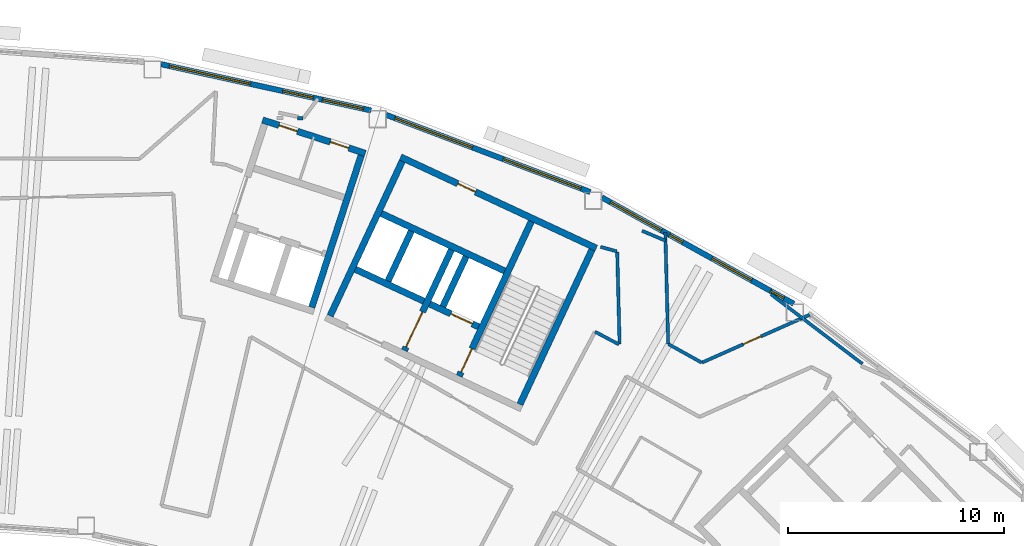
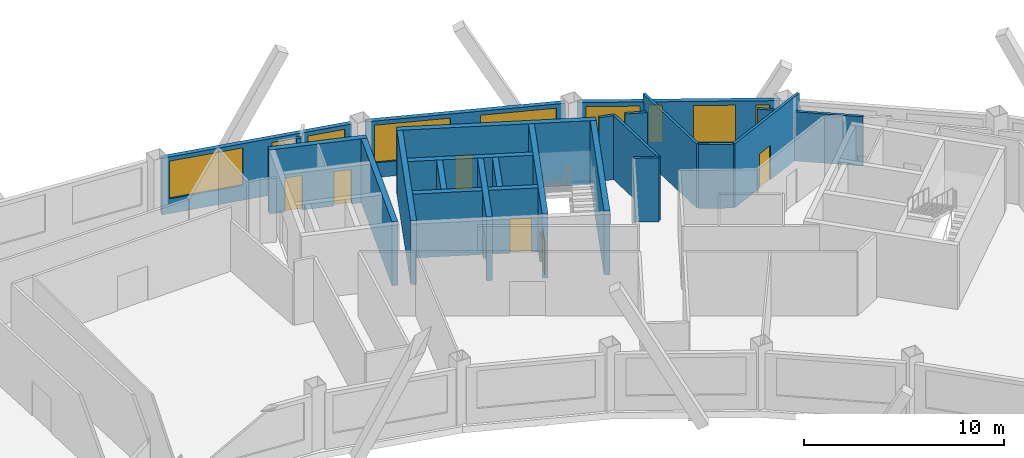
# One storey, part 10 of 13: 24 walls, 9 windows, 7 doors, 16 openings.
"""IFC4 building model written with IfcOpenShell, lengths in metres."""

from ifc_helpers import new_model, si_unit, direction, frame, frame_2d, origin, place, context, subcontext, project, spatial, rectangle, extrude, material, layer, layer_set, type_object, element, fill, save


model = new_model("IFC4")

# Units and contexts
model_context = context("Model", 3, precision=1e-05, world=origin(), true_north=direction((0.0, 1.0)))
body_context = subcontext(model_context, "Body", "Model", "MODEL_VIEW")
ifc_project = project(units=[si_unit("LENGTHUNIT", "METRE"), si_unit("AREAUNIT", "SQUARE_METRE"), si_unit("VOLUMEUNIT", "CUBIC_METRE"), si_unit("PLANEANGLEUNIT", "RADIAN"), si_unit("MASSUNIT", "GRAM", prefix="KILO")], contexts=[model_context])

# Site, building, storey
site_placement = place(None, origin())
site = spatial("IfcSite", under=ifc_project, at=site_placement, CompositionType="ELEMENT")
building_placement = place(site_placement, origin())
building = spatial("IfcBuilding", under=site, at=building_placement, Name="Tuul Gate Civic Tower", CompositionType="ELEMENT")
storey_placement = place(building_placement, frame((0.0, 0.0, 285.800048828125)))
storey = spatial("IfcBuildingStorey", under=building, at=storey_placement, Name="Level 64", CompositionType="ELEMENT", Elevation=285.800048828125)

# Wall, opening, door
ifc_material_1 = material(Name="Concrete C50/60", Category="concrete")
ifc_layer_1 = layer(ifc_material_1, 0.300048828125)
ifc_layer_set_1 = layer_set([ifc_layer_1], Name="Concrete C50/60")
wall_type_1 = type_object("IfcWallType", Name="Core wall C50/60", PredefinedType="SHEAR", material=ifc_layer_set_1)
wall_1_placement = place(storey_placement, frame((32.545654296875, -3.456787109375, 0.0), z_axis=(0.0, 0.0, 1.0), x_axis=(-0.906300357825, 0.42263419337, 0.0)))
wall_1 = element("IfcWall", 1, at=wall_1_placement, inside=storey, type_object=wall_type_1, Name="Core wall", PredefinedType="SHEAR", context=body_context, shape_type="SweptSolid", body=[
    extrude(rectangle(XDim=2.500244140625, YDim=0.300048828125, at=frame_2d((1.25, 0.0))), origin(), (0.0, 0.0, 1.0), 3.89990234375),
])
opening_1_placement = place(wall_1_placement, frame((0.324951171875, 0.0, 0.0)))
opening_1 = element("IfcOpeningElement", 2, at=opening_1_placement, cuts=wall_1, Name="Opening LD-FF-2", PredefinedType="OPENING", context=body_context, shape_type="SweptSolid", body=[
    extrude(rectangle(XDim=1.10009765625, YDim=2.10009765625, at=frame_2d((0.550048828125, 1.050048828125))), frame((0.0, 0.16015625, 0.0), z_axis=(0.0, -1.0, 0.0), x_axis=(1.0, 0.0, 0.0)), (0.0, 0.0, 1.0), 0.320068359375),
])
ifc_material_2 = material(Name="Stainless steel", Category="steel")
door_type_1 = type_object("IfcDoorType", Name="Landing door", OperationType="DOUBLE_DOOR_SLIDING", PredefinedType="DOOR", material=ifc_material_2)
door_1_placement = place(opening_1_placement, origin())
door_1 = element("IfcDoor", 3, at=door_1_placement, inside=storey, type_object=door_type_1, Name="Fire-fighting lift FF-2 landing door", OperationType="DOUBLE_DOOR_SLIDING", OverallHeight=2.10009765625, OverallWidth=1.10009765625, PredefinedType="DOOR", context=body_context, shape_type="SweptSolid", body=[
    extrude(rectangle(XDim=1.10009765625, YDim=2.10009765625, at=frame_2d((0.550048828125, 1.050048828125))), frame((0.0, 0.02490234375, 0.0), z_axis=(0.0, -1.0, 0.0), x_axis=(1.0, 0.0, 0.0)), (0.0, 0.0, 1.0), 0.050048828125),
])
fill(opening_1, door_1)

# Walls
wall_2_placement = place(storey_placement, frame((30.0078125, -2.2734375, 0.0), z_axis=(0.0, 0.0, 1.0), x_axis=(-0.90630071767, 0.422633421716, 0.0)))
element("IfcWall", 4, at=wall_2_placement, inside=storey, type_object=wall_type_1, Name="Core wall", PredefinedType="SHEAR", context=body_context, shape_type="SweptSolid", body=[
    extrude(rectangle(XDim=3.5, YDim=0.300048828125, at=frame_2d((1.75, 0.0))), origin(), (0.0, 0.0, 1.0), 3.89990234375),
])
wall_3_placement = place(storey_placement, frame((33.75, -0.873779296875, 0.0), z_axis=(0.0, 0.0, 1.0), x_axis=(-0.906300917592, 0.422632992999, 0.0)))
element("IfcWall", 5, at=wall_3_placement, inside=storey, type_object=wall_type_1, Name="Core wall", PredefinedType="SHEAR", context=body_context, shape_type="SweptSolid", body=[
    extrude(rectangle(XDim=6.300048828125, YDim=0.300048828125, at=frame_2d((3.14990234375, 0.0))), origin(), (0.0, 0.0, 1.0), 3.89990234375),
])

# Wall, opening, door
wall_4_placement = place(storey_placement, frame((37.993408203125, 0.181884765625, 0.0), z_axis=(0.0, 0.0, 1.0), x_axis=(-0.906310338845, 0.422612789327, 0.0)))
wall_4 = element("IfcWall", 6, at=wall_4_placement, inside=storey, type_object=wall_type_1, Name="Core wall", PredefinedType="SHEAR", context=body_context, shape_type="SweptSolid", body=[
    extrude(rectangle(XDim=9.999755859375, YDim=0.300048828125, at=frame_2d((5.0, 0.0))), origin(), (0.0, 0.0, 1.0), 3.89990234375),
])
opening_2_placement = place(wall_4_placement, frame((6.175048828125, 0.0, 0.0)))
opening_2 = element("IfcOpeningElement", 7, at=opening_2_placement, cuts=wall_4, Name="Opening X-D23", PredefinedType="OPENING", context=body_context, shape_type="SweptSolid", body=[
    extrude(rectangle(XDim=0.89990234375, YDim=2.10009765625, at=frame_2d((0.449951171875, 1.050048828125))), frame((0.0, 0.16015625, 0.0), z_axis=(0.0, -1.0, 0.0), x_axis=(1.0, 0.0, 0.0)), (0.0, 0.0, 1.0), 0.320068359375),
])
ifc_material_3 = material(Name="Timber door leaf", Category="wood")
door_type_2 = type_object("IfcDoorType", Name="Door D09", OperationType="NOTDEFINED", PredefinedType="DOOR", material=ifc_material_3)
door_2_placement = place(opening_2_placement, origin())
door_2 = element("IfcDoor", 8, at=door_2_placement, inside=storey, type_object=door_type_2, Name="Door X-D23", OperationType="SINGLE_SWING_LEFT", OverallHeight=2.10009765625, OverallWidth=0.89990234375, PredefinedType="DOOR", context=body_context, shape_type="SweptSolid", body=[
    extrude(rectangle(XDim=0.89990234375, YDim=2.10009765625, at=frame_2d((0.449951171875, 1.050048828125))), frame((0.0, 0.02490234375, 0.0), z_axis=(0.0, -1.0, 0.0), x_axis=(1.0, 0.0, 0.0)), (0.0, 0.0, 1.0), 0.050048828125),
])
fill(opening_2, door_2)

# Wall
wall_5_placement = place(storey_placement, frame((34.455810546875, -7.05078125, 0.0), z_axis=(0.0, 0.0, 1.0), x_axis=(0.422570768258, 0.906329932096, 0.0)))
element("IfcWall", 9, at=wall_5_placement, inside=storey, type_object=wall_type_1, Name="Core wall", PredefinedType="SHEAR", context=body_context, shape_type="SweptSolid", body=[
    extrude(rectangle(XDim=7.900146484375, YDim=0.300048828125, at=frame_2d((3.9501953125, 0.0))), origin(), (0.0, 0.0, 1.0), 3.89990234375),
])

# Wall, opening, door
wall_6_placement = place(storey_placement, frame((31.646240234375, -5.740478515625, 0.0), z_axis=(0.0, 0.0, 1.0), x_axis=(0.422582604137, 0.906324413596, 0.0)))
wall_6 = element("IfcWall", 10, at=wall_6_placement, inside=storey, type_object=wall_type_1, Name="Core wall", PredefinedType="SHEAR", context=body_context, shape_type="SweptSolid", body=[
    extrude(rectangle(XDim=7.89990234375, YDim=0.300048828125, at=frame_2d((3.949951171875, 0.0))), origin(), (0.0, 0.0, 1.0), 3.89990234375),
])
opening_3_placement = place(wall_6_placement, frame((0.199951171875, 0.0, 0.0)))
opening_3 = element("IfcOpeningElement", 11, at=opening_3_placement, cuts=wall_6, Name="Opening SD-ST-4", PredefinedType="OPENING", context=body_context, shape_type="SweptSolid", body=[
    extrude(rectangle(XDim=1.199951171875, YDim=2.10009765625, at=frame_2d((0.60009765625, 1.050048828125))), frame((0.0, 0.16015625, 0.0), z_axis=(0.0, -1.0, 0.0), x_axis=(1.0, 0.0, 0.0)), (0.0, 0.0, 1.0), 0.320068359375),
])
ifc_material_4 = material(Name="Steel", Category="steel")
door_type_3 = type_object("IfcDoorType", Name="Stair door", OperationType="NOTDEFINED", PredefinedType="DOOR", material=ifc_material_4)
door_3_placement = place(opening_3_placement, origin())
door_3 = element("IfcDoor", 12, at=door_3_placement, inside=storey, type_object=door_type_3, Name="Stair door ST-4", OperationType="SINGLE_SWING_LEFT", OverallHeight=2.10009765625, OverallWidth=1.199951171875, PredefinedType="DOOR", context=body_context, shape_type="SweptSolid", body=[
    extrude(rectangle(XDim=1.199951171875, YDim=2.10009765625, at=frame_2d((0.60009765625, 1.050048828125))), frame((0.0, 0.02490234375, 0.0), z_axis=(0.0, -1.0, 0.0), x_axis=(1.0, 0.0, 0.0)), (0.0, 0.0, 1.0), 0.050048828125),
])
fill(opening_3, door_3)

# Wall
wall_7_placement = place(storey_placement, frame((30.886962890625, -2.517822265625, 0.0), z_axis=(0.0, 0.0, 1.0), x_axis=(0.422612891016, 0.906310291427, 0.0)))
element("IfcWall", 13, at=wall_7_placement, inside=storey, type_object=wall_type_1, Name="Core wall", PredefinedType="SHEAR", context=body_context, shape_type="SweptSolid", body=[
    extrude(rectangle(XDim=2.550048828125, YDim=0.300048828125, at=frame_2d((1.27490234375, 0.0))), origin(), (0.0, 0.0, 1.0), 3.89990234375),
])

# Wall, opening, door
wall_8_placement = place(storey_placement, frame((29.108642578125, -4.557373046875, 0.0), z_axis=(0.0, 0.0, 1.0), x_axis=(0.422566235356, 0.90633204552, 0.0)))
wall_8 = element("IfcWall", 14, at=wall_8_placement, inside=storey, type_object=wall_type_1, Name="Core wall", PredefinedType="SHEAR", context=body_context, shape_type="SweptSolid", body=[
    extrude(rectangle(XDim=5.150146484375, YDim=0.300048828125, at=frame_2d((2.5751953125, 0.0))), origin(), (0.0, 0.0, 1.0), 3.89990234375),
])
opening_4_placement = place(wall_8_placement, frame((0.175048828125, 0.0, 0.0)))
opening_4 = element("IfcOpeningElement", 15, at=opening_4_placement, cuts=wall_8, Name="Opening LB-E3-FLOBBY-1", PredefinedType="OPENING", context=body_context, shape_type="SweptSolid", body=[
    extrude(rectangle(XDim=1.800048828125, YDim=2.10009765625, at=frame_2d((0.89990234375, 1.050048828125))), frame((0.0, 0.16015625, 0.0), z_axis=(0.0, -1.0, 0.0), x_axis=(1.0, 0.0, 0.0)), (0.0, 0.0, 1.0), 0.320068359375),
])
ifc_material_5 = material(Name="Steel", Category="steel")
door_type_4 = type_object("IfcDoorType", Name="Lobby door", OperationType="DOUBLE_DOOR_SINGLE_SWING", PredefinedType="DOOR", material=ifc_material_5)
door_4_placement = place(opening_4_placement, frame((1.800048828125, 0.0, 0.0), z_axis=(0.0, 0.0, 1.0), x_axis=(-1.0, 0.0, 0.0)))
door_4 = element("IfcDoor", 16, at=door_4_placement, inside=storey, type_object=door_type_4, Name="Lobby door E3-FLOBBY", OperationType="DOUBLE_DOOR_SINGLE_SWING", OverallHeight=2.10009765625, OverallWidth=1.800048828125, PredefinedType="DOOR", context=body_context, shape_type="SweptSolid", body=[
    extrude(rectangle(XDim=1.800048828125, YDim=2.10009765625, at=frame_2d((0.900146484375, 1.050048828125))), frame((0.0, 0.02490234375, 0.0), z_axis=(0.0, -1.0, 0.0), x_axis=(1.0, 0.0, 0.0)), (0.0, 0.0, 1.0), 0.050048828125),
])
fill(opening_4, door_4)

# Walls
wall_9_placement = place(storey_placement, frame((28.349365234375, -1.33447265625, 0.0), z_axis=(0.0, 0.0, 1.0), x_axis=(0.422612891016, 0.906310291427, 0.0)))
element("IfcWall", 17, at=wall_9_placement, inside=storey, type_object=wall_type_1, Name="Core wall", PredefinedType="SHEAR", context=body_context, shape_type="SweptSolid", body=[
    extrude(rectangle(XDim=2.550048828125, YDim=0.300048828125, at=frame_2d((1.27490234375, 0.0))), origin(), (0.0, 0.0, 1.0), 3.89990234375),
])
wall_10_placement = place(storey_placement, frame((25.66455078125, -2.951416015625, 0.0), z_axis=(0.0, 0.0, 1.0), x_axis=(0.422582604137, 0.906324413596, 0.0)))
element("IfcWall", 18, at=wall_10_placement, inside=storey, type_object=wall_type_1, Name="Core wall", PredefinedType="SHEAR", context=body_context, shape_type="SweptSolid", body=[
    extrude(rectangle(XDim=7.89990234375, YDim=0.300048828125, at=frame_2d((3.949951171875, 0.0))), origin(), (0.0, 0.0, 1.0), 3.89990234375),
])

# Wall, opening, door
ifc_material_6 = material(Name="Gypsum board partition")
ifc_layer_2 = layer(ifc_material_6, 0.14990234375)
ifc_layer_set_2 = layer_set([ifc_layer_2], Name="Gypsum board partition")
wall_type_2 = type_object("IfcWallType", Name="Corridor wall P150", PredefinedType="PARTITIONING", material=ifc_layer_set_2)
wall_11_placement = place(storey_placement, frame((42.892822265625, -5.115478515625, 0.0), z_axis=(0.0, 0.0, 1.0), x_axis=(0.913876120941, 0.405993147201, 0.0)))
wall_11 = element("IfcWall", 19, at=wall_11_placement, inside=storey, type_object=wall_type_2, Name="p005", PredefinedType="PARTITIONING", context=body_context, shape_type="SweptSolid", body=[
    extrude(rectangle(XDim=5.4560546875, YDim=0.14990234375, at=frame_2d((2.72802734375, 0.0))), origin(), (0.0, 0.0, 1.0), 3.89990234375),
])
opening_5_placement = place(wall_11_placement, frame((2.08935546875, 0.0, 0.0)))
opening_5 = element("IfcOpeningElement", 20, at=opening_5_placement, cuts=wall_11, Name="Opening X-D01", PredefinedType="OPENING", context=body_context, shape_type="SweptSolid", body=[
    extrude(rectangle(XDim=0.89990234375, YDim=2.10009765625, at=frame_2d((0.449951171875, 1.050048828125))), frame((0.0, 0.0849609375, 0.0), z_axis=(0.0, -1.0, 0.0), x_axis=(1.0, 0.0, 0.0)), (0.0, 0.0, 1.0), 0.169921875),
])
door_5_placement = place(opening_5_placement, origin())
door_5 = element("IfcDoor", 21, at=door_5_placement, inside=storey, type_object=door_type_2, Name="Door X-D01", OperationType="SINGLE_SWING_RIGHT", OverallHeight=2.10009765625, OverallWidth=0.89990234375, PredefinedType="DOOR", context=body_context, shape_type="SweptSolid", body=[
    extrude(rectangle(XDim=0.89990234375, YDim=2.10009765625, at=frame_2d((0.449951171875, 1.050048828125))), frame((0.0, 0.02490234375, 0.0), z_axis=(0.0, -1.0, 0.0), x_axis=(1.0, 0.0, 0.0)), (0.0, 0.0, 1.0), 0.050048828125),
])
fill(opening_5, door_5)

# Walls
wall_12_placement = place(storey_placement, frame((41.333984375, -4.260986328125, 0.0), z_axis=(0.0, 0.0, 1.0), x_axis=(0.874627690109, -0.484795218309, 0.0)))
element("IfcWall", 22, at=wall_12_placement, inside=storey, type_object=wall_type_2, Name="p006", PredefinedType="PARTITIONING", context=body_context, shape_type="SweptSolid", body=[
    extrude(rectangle(XDim=1.760986328125, YDim=0.14990234375, at=frame_2d((0.88037109375, 0.0))), origin(), (0.0, 0.0, 1.0), 3.89990234375),
])
wall_13_placement = place(storey_placement, frame((41.19189453125, 0.91162109375, 0.0), z_axis=(0.0, 0.0, 1.0), x_axis=(0.025471250231, -0.999675555074, 0.0)))
element("IfcWall", 23, at=wall_13_placement, inside=storey, type_object=wall_type_2, Name="p007", PredefinedType="PARTITIONING", context=body_context, shape_type="SweptSolid", body=[
    extrude(rectangle(XDim=5.15673828125, YDim=0.14990234375, at=frame_2d((2.578369140625, 0.0))), origin(), (0.0, 0.0, 1.0), 3.89990234375),
])
wall_14_placement = place(storey_placement, frame((38.189453125, 0.24560546875, 0.0), z_axis=(0.0, 0.0, 1.0), x_axis=(0.963509032023, -0.267675821115, 0.0)))
element("IfcWall", 24, at=wall_14_placement, inside=storey, type_object=wall_type_2, Name="p091", PredefinedType="PARTITIONING", context=body_context, shape_type="SweptSolid", body=[
    extrude(rectangle(XDim=0.7880859375, YDim=0.14990234375, at=frame_2d((0.39404296875, 0.0))), origin(), (0.0, 0.0, 1.0), 3.89990234375),
])
wall_15_placement = place(storey_placement, frame((38.9638671875, 0.01513671875, 0.0), z_axis=(0.0, 0.0, 1.0), x_axis=(0.025483262519, -0.999675248934, 0.0)))
element("IfcWall", 25, at=wall_15_placement, inside=storey, type_object=wall_type_2, Name="p092", PredefinedType="PARTITIONING", context=body_context, shape_type="SweptSolid", body=[
    extrude(rectangle(XDim=4.27294921875, YDim=0.14990234375, at=frame_2d((2.136474609375, 0.0))), origin(), (0.0, 0.0, 1.0), 3.89990234375),
])
wall_16_placement = place(storey_placement, frame((37.938232421875, -3.6875, 0.0), z_axis=(0.0, 0.0, 1.0), x_axis=(0.882946394022, -0.469473817463, 0.0)))
element("IfcWall", 26, at=wall_16_placement, inside=storey, type_object=wall_type_2, Name="p093", PredefinedType="PARTITIONING", context=body_context, shape_type="SweptSolid", body=[
    extrude(rectangle(XDim=1.251220703125, YDim=0.14990234375, at=frame_2d((0.62548828125, 0.0))), origin(), (0.0, 0.0, 1.0), 3.89990234375),
])
wall_17_placement = place(storey_placement, frame((24.15380859375, 6.20751953125, 0.0), z_axis=(0.0, 0.0, 1.0), x_axis=(0.999926340328, -0.012137294514, 0.0)))
element("IfcWall", 27, at=wall_17_placement, inside=storey, type_object=wall_type_2, Name="p019", PredefinedType="PARTITIONING", context=body_context, shape_type="SweptSolid", body=[
    extrude(rectangle(XDim=0.261474609375, YDim=0.14990234375, at=frame_2d((0.130859375, 0.0))), origin(), (0.0, 0.0, 1.0), 3.89990234375),
])
ifc_material_7 = material(Name="Gypsum board partition")
ifc_layer_3 = layer(ifc_material_7, 0.14990234375)
ifc_layer_set_3 = layer_set([ifc_layer_3], Name="Gypsum board partition")
wall_type_3 = type_object("IfcWallType", Name="Corridor wall P150 3000 HIGH", PredefinedType="PARTITIONING", material=ifc_layer_set_3)
wall_18_placement = place(storey_placement, frame((46.08447265625, -1.94873046875, 0.0), z_axis=(0.0, 0.0, 1.0), x_axis=(0.795606337097, -0.605813961849, 0.0)))
element("IfcWall", 28, at=wall_18_placement, inside=storey, type_object=wall_type_3, Name="p001", PredefinedType="PARTITIONING", context=body_context, shape_type="SweptSolid", body=[
    extrude(rectangle(XDim=5.326904296875, YDim=0.14990234375, at=frame_2d((2.66357421875, 0.0))), origin(), (0.0, 0.0, 1.0), 3.0),
])
wall_19_placement = place(storey_placement, frame((40.112548828125, 0.989013671875, 0.0), z_axis=(0.0, 0.0, 1.0), x_axis=(0.921195251322, -0.389100641148, 0.0)))
element("IfcWall", 29, at=wall_19_placement, inside=storey, type_object=wall_type_3, Name="p009", PredefinedType="PARTITIONING", context=body_context, shape_type="SweptSolid", body=[
    extrude(rectangle(XDim=1.181396484375, YDim=0.14990234375, at=frame_2d((0.5908203125, 0.0))), origin(), (0.0, 0.0, 1.0), 3.0),
])

# Wall, openings, windows
ifc_material_8 = material(Name="Precast concrete C40/50", Category="concrete")
ifc_layer_4 = layer(ifc_material_8, 0.25)
ifc_layer_set_4 = layer_set([ifc_layer_4], Name="Precast concrete C40/50")
wall_type_4 = type_object("IfcWallType", Name="External wall", PredefinedType="STANDARD", material=ifc_layer_set_4)
wall_20_placement = place(storey_placement, frame((47.139404296875, -2.39111328125, 0.0), z_axis=(0.0, 0.0, 1.0), x_axis=(-0.874604551877, 0.484836960055, 0.0)))
wall_20 = element("IfcWall", 30, at=wall_20_placement, inside=storey, type_object=wall_type_4, Name="External wall", PredefinedType="STANDARD", context=body_context, shape_type="SweptSolid", body=[
    extrude(rectangle(XDim=10.16162109375, YDim=0.25, at=frame_2d((5.080810546875, 0.0))), origin(), (0.0, 0.0, 1.0), 3.449951171875),
])
opening_6_placement = place(wall_20_placement, frame((0.52294921875, 0.0, 0.89990234375)))
opening_6 = element("IfcOpeningElement", 31, at=opening_6_placement, cuts=wall_20, Name="Opening W70", PredefinedType="OPENING", context=body_context, shape_type="SweptSolid", body=[
    extrude(rectangle(XDim=0.699951171875, YDim=2.300048828125, at=frame_2d((0.35009765625, 1.14990234375))), frame((0.0, 0.135009765625, 0.0), z_axis=(0.0, -1.0, 0.0), x_axis=(1.0, 0.0, 0.0)), (0.0, 0.0, 1.0), 0.27001953125),
])
opening_7_placement = place(wall_20_placement, frame((2.23388671875, 0.0, 0.89990234375)))
opening_7 = element("IfcOpeningElement", 32, at=opening_7_placement, cuts=wall_20, Name="Opening W40", PredefinedType="OPENING", context=body_context, shape_type="SweptSolid", body=[
    extrude(rectangle(XDim=2.10009765625, YDim=2.300048828125, at=frame_2d((1.050048828125, 1.14990234375))), frame((0.0, 0.135009765625, 0.0), z_axis=(0.0, -1.0, 0.0), x_axis=(1.0, 0.0, 0.0)), (0.0, 0.0, 1.0), 0.27001953125),
])
opening_8_placement = place(wall_20_placement, frame((5.8818359375, 0.0, 0.89990234375)))
opening_8 = element("IfcOpeningElement", 33, at=opening_8_placement, cuts=wall_20, Name="Opening W70", PredefinedType="OPENING", context=body_context, shape_type="SweptSolid", body=[
    extrude(rectangle(XDim=0.699951171875, YDim=2.300048828125, at=frame_2d((0.35009765625, 1.14990234375))), frame((0.0, 0.135009765625, 0.0), z_axis=(0.0, -1.0, 0.0), x_axis=(1.0, 0.0, 0.0)), (0.0, 0.0, 1.0), 0.27001953125),
])
opening_9_placement = place(wall_20_placement, frame((7.0068359375, 0.0, 0.89990234375)))
opening_9 = element("IfcOpeningElement", 34, at=opening_9_placement, cuts=wall_20, Name="Opening W69", PredefinedType="OPENING", context=body_context, shape_type="SweptSolid", body=[
    extrude(rectangle(XDim=2.699951171875, YDim=2.300048828125, at=frame_2d((1.35009765625, 1.14990234375))), frame((0.0, 0.135009765625, 0.0), z_axis=(0.0, -1.0, 0.0), x_axis=(1.0, 0.0, 0.0)), (0.0, 0.0, 1.0), 0.27001953125),
])
ifc_material_9 = material(Name="Glass", Category="glass")
window_type_1 = type_object("IfcWindowType", Name="Window 2100 x 2300", PartitioningType="SINGLE_PANEL", PredefinedType="WINDOW", material=ifc_material_9)
window_1_placement = place(opening_7_placement, origin())
window_1 = element("IfcWindow", 35, at=window_1_placement, inside=storey, type_object=window_type_1, Name="Window", OverallHeight=2.300048828125, OverallWidth=2.10009765625, PartitioningType="SINGLE_PANEL", PredefinedType="WINDOW", context=body_context, shape_type="SweptSolid", body=[
    extrude(rectangle(XDim=2.10009765625, YDim=2.300048828125, at=frame_2d((1.050048828125, 1.14990234375))), frame((0.0, 0.030029296875, 0.0), z_axis=(0.0, -1.0, 0.0), x_axis=(1.0, 0.0, 0.0)), (0.0, 0.0, 1.0), 0.06005859375),
])
fill(opening_7, window_1)
ifc_material_10 = material(Name="Glass", Category="glass")
window_type_2 = type_object("IfcWindowType", Name="Window 2700 x 2300", PartitioningType="SINGLE_PANEL", PredefinedType="WINDOW", material=ifc_material_10)
window_2_placement = place(opening_9_placement, origin())
window_2 = element("IfcWindow", 36, at=window_2_placement, inside=storey, type_object=window_type_2, Name="Window", OverallHeight=2.300048828125, OverallWidth=2.699951171875, PartitioningType="SINGLE_PANEL", PredefinedType="WINDOW", context=body_context, shape_type="SweptSolid", body=[
    extrude(rectangle(XDim=2.699951171875, YDim=2.300048828125, at=frame_2d((1.35009765625, 1.14990234375))), frame((0.0, 0.030029296875, 0.0), z_axis=(0.0, -1.0, 0.0), x_axis=(1.0, 0.0, 0.0)), (0.0, 0.0, 1.0), 0.06005859375),
])
fill(opening_9, window_2)
ifc_material_11 = material(Name="Glass", Category="glass")
window_type_3 = type_object("IfcWindowType", Name="Window 700 x 2300", PartitioningType="SINGLE_PANEL", PredefinedType="WINDOW", material=ifc_material_11)
window_3_placement = place(opening_6_placement, origin())
window_3 = element("IfcWindow", 37, at=window_3_placement, inside=storey, type_object=window_type_3, Name="Window", OverallHeight=2.300048828125, OverallWidth=0.699951171875, PartitioningType="SINGLE_PANEL", PredefinedType="WINDOW", context=body_context, shape_type="SweptSolid", body=[
    extrude(rectangle(XDim=0.699951171875, YDim=2.300048828125, at=frame_2d((0.35009765625, 1.14990234375))), frame((0.0, 0.030029296875, 0.0), z_axis=(0.0, -1.0, 0.0), x_axis=(1.0, 0.0, 0.0)), (0.0, 0.0, 1.0), 0.06005859375),
])
fill(opening_6, window_3)
window_4_placement = place(opening_8_placement, origin())
window_4 = element("IfcWindow", 38, at=window_4_placement, inside=storey, type_object=window_type_3, Name="Window", OverallHeight=2.300048828125, OverallWidth=0.699951171875, PartitioningType="SINGLE_PANEL", PredefinedType="WINDOW", context=body_context, shape_type="SweptSolid", body=[
    extrude(rectangle(XDim=0.699951171875, YDim=2.300048828125, at=frame_2d((0.35009765625, 1.14990234375))), frame((0.0, 0.030029296875, 0.0), z_axis=(0.0, -1.0, 0.0), x_axis=(1.0, 0.0, 0.0)), (0.0, 0.0, 1.0), 0.06005859375),
])
fill(opening_8, window_4)

wall_21_placement = place(storey_placement, frame((37.715087890625, 2.784912109375, 0.0), z_axis=(0.0, 0.0, 1.0), x_axis=(-0.935360382643, 0.353696133118, 0.0)))
wall_21 = element("IfcWall", 39, at=wall_21_placement, inside=storey, type_object=wall_type_4, Name="External wall", PredefinedType="STANDARD", context=body_context, shape_type="SweptSolid", body=[
    extrude(rectangle(XDim=10.103271484375, YDim=0.25, at=frame_2d((5.0517578125, 0.0))), origin(), (0.0, 0.0, 1.0), 3.449951171875),
])
opening_10_placement = place(wall_21_placement, frame((0.45849609375, 0.0, 0.89990234375)))
opening_10 = element("IfcOpeningElement", 40, at=opening_10_placement, cuts=wall_21, Name="Opening W22", PredefinedType="OPENING", context=body_context, shape_type="SweptSolid", body=[
    extrude(rectangle(XDim=3.85009765625, YDim=2.300048828125, at=frame_2d((1.925048828125, 1.14990234375))), frame((0.0, 0.135009765625, 0.0), z_axis=(0.0, -1.0, 0.0), x_axis=(1.0, 0.0, 0.0)), (0.0, 0.0, 1.0), 0.27001953125),
])
opening_11_placement = place(wall_21_placement, frame((5.830322265625, 0.0, 0.89990234375)))
opening_11 = element("IfcOpeningElement", 41, at=opening_11_placement, cuts=wall_21, Name="Opening W22", PredefinedType="OPENING", context=body_context, shape_type="SweptSolid", body=[
    extrude(rectangle(XDim=3.85009765625, YDim=2.300048828125, at=frame_2d((1.925048828125, 1.14990234375))), frame((0.0, 0.135009765625, 0.0), z_axis=(0.0, -1.0, 0.0), x_axis=(1.0, 0.0, 0.0)), (0.0, 0.0, 1.0), 0.27001953125),
])
ifc_material_12 = material(Name="Glass", Category="glass")
window_type_4 = type_object("IfcWindowType", Name="Window W22 3850 x 2300", PartitioningType="SINGLE_PANEL", PredefinedType="WINDOW", material=ifc_material_12)
window_5_placement = place(opening_10_placement, origin())
window_5 = element("IfcWindow", 42, at=window_5_placement, inside=storey, type_object=window_type_4, Name="Window", OverallHeight=2.300048828125, OverallWidth=3.85009765625, PartitioningType="SINGLE_PANEL", PredefinedType="WINDOW", context=body_context, shape_type="SweptSolid", body=[
    extrude(rectangle(XDim=3.85009765625, YDim=2.300048828125, at=frame_2d((1.925048828125, 1.14990234375))), frame((0.0, 0.030029296875, 0.0), z_axis=(0.0, -1.0, 0.0), x_axis=(1.0, 0.0, 0.0)), (0.0, 0.0, 1.0), 0.06005859375),
])
fill(opening_10, window_5)
window_6_placement = place(opening_11_placement, origin())
window_6 = element("IfcWindow", 43, at=window_6_placement, inside=storey, type_object=window_type_4, Name="Window", OverallHeight=2.300048828125, OverallWidth=3.85009765625, PartitioningType="SINGLE_PANEL", PredefinedType="WINDOW", context=body_context, shape_type="SweptSolid", body=[
    extrude(rectangle(XDim=3.85009765625, YDim=2.300048828125, at=frame_2d((1.925048828125, 1.14990234375))), frame((0.0, 0.030029296875, 0.0), z_axis=(0.0, -1.0, 0.0), x_axis=(1.0, 0.0, 0.0)), (0.0, 0.0, 1.0), 0.06005859375),
])
fill(opening_11, window_6)

wall_22_placement = place(storey_placement, frame((27.56201171875, 6.56201171875, 0.0), z_axis=(0.0, 0.0, 1.0), x_axis=(-0.976565167079, 0.215221919071, 0.0)))
wall_22 = element("IfcWall", 44, at=wall_22_placement, inside=storey, type_object=wall_type_4, Name="External wall", PredefinedType="STANDARD", context=body_context, shape_type="SweptSolid", body=[
    extrude(rectangle(XDim=9.95751953125, YDim=0.25, at=frame_2d((4.978759765625, 0.0))), origin(), (0.0, 0.0, 1.0), 3.449951171875),
])
opening_12_placement = place(wall_22_placement, frame((5.717529296875, 0.0, 0.89990234375)))
opening_12 = element("IfcOpeningElement", 45, at=opening_12_placement, cuts=wall_22, Name="Opening W22", PredefinedType="OPENING", context=body_context, shape_type="SweptSolid", body=[
    extrude(rectangle(XDim=3.85009765625, YDim=2.300048828125, at=frame_2d((1.925048828125, 1.14990234375))), frame((0.0, 0.135009765625, 0.0), z_axis=(0.0, -1.0, 0.0), x_axis=(1.0, 0.0, 0.0)), (0.0, 0.0, 1.0), 0.27001953125),
])
opening_13_placement = place(wall_22_placement, frame((0.35986328125, 0.0, 0.89990234375)))
opening_13 = element("IfcOpeningElement", 46, at=opening_13_placement, cuts=wall_22, Name="Opening W46", PredefinedType="OPENING", context=body_context, shape_type="SweptSolid", body=[
    extrude(rectangle(XDim=1.949951171875, YDim=2.300048828125, at=frame_2d((0.97509765625, 1.14990234375))), frame((0.0, 0.135009765625, 0.0), z_axis=(0.0, -1.0, 0.0), x_axis=(1.0, 0.0, 0.0)), (0.0, 0.0, 1.0), 0.27001953125),
])
opening_14_placement = place(wall_22_placement, frame((2.73486328125, 0.0, 0.89990234375)))
opening_14 = element("IfcOpeningElement", 47, at=opening_14_placement, cuts=wall_22, Name="Opening W47", PredefinedType="OPENING", context=body_context, shape_type="SweptSolid", body=[
    extrude(rectangle(XDim=1.449951171875, YDim=2.300048828125, at=frame_2d((0.72509765625, 1.14990234375))), frame((0.0, 0.135009765625, 0.0), z_axis=(0.0, -1.0, 0.0), x_axis=(1.0, 0.0, 0.0)), (0.0, 0.0, 1.0), 0.27001953125),
])
ifc_material_13 = material(Name="Glass", Category="glass")
window_type_5 = type_object("IfcWindowType", Name="Window 1450 x 2300", PartitioningType="SINGLE_PANEL", PredefinedType="WINDOW", material=ifc_material_13)
window_7_placement = place(opening_14_placement, origin())
window_7 = element("IfcWindow", 48, at=window_7_placement, inside=storey, type_object=window_type_5, Name="Window", OverallHeight=2.300048828125, OverallWidth=1.449951171875, PartitioningType="SINGLE_PANEL", PredefinedType="WINDOW", context=body_context, shape_type="SweptSolid", body=[
    extrude(rectangle(XDim=1.449951171875, YDim=2.300048828125, at=frame_2d((0.72509765625, 1.14990234375))), frame((0.0, 0.030029296875, 0.0), z_axis=(0.0, -1.0, 0.0), x_axis=(1.0, 0.0, 0.0)), (0.0, 0.0, 1.0), 0.06005859375),
])
fill(opening_14, window_7)
ifc_material_14 = material(Name="Glass", Category="glass")
window_type_6 = type_object("IfcWindowType", Name="Window 1950 x 2300", PartitioningType="SINGLE_PANEL", PredefinedType="WINDOW", material=ifc_material_14)
window_8_placement = place(opening_13_placement, origin())
window_8 = element("IfcWindow", 49, at=window_8_placement, inside=storey, type_object=window_type_6, Name="Window", OverallHeight=2.300048828125, OverallWidth=1.949951171875, PartitioningType="SINGLE_PANEL", PredefinedType="WINDOW", context=body_context, shape_type="SweptSolid", body=[
    extrude(rectangle(XDim=1.949951171875, YDim=2.300048828125, at=frame_2d((0.97509765625, 1.14990234375))), frame((0.0, 0.030029296875, 0.0), z_axis=(0.0, -1.0, 0.0), x_axis=(1.0, 0.0, 0.0)), (0.0, 0.0, 1.0), 0.06005859375),
])
fill(opening_13, window_8)
window_9_placement = place(opening_12_placement, origin())
window_9 = element("IfcWindow", 50, at=window_9_placement, inside=storey, type_object=window_type_4, Name="Window", OverallHeight=2.300048828125, OverallWidth=3.85009765625, PartitioningType="SINGLE_PANEL", PredefinedType="WINDOW", context=body_context, shape_type="SweptSolid", body=[
    extrude(rectangle(XDim=3.85009765625, YDim=2.300048828125, at=frame_2d((1.925048828125, 1.14990234375))), frame((0.0, 0.030029296875, 0.0), z_axis=(0.0, -1.0, 0.0), x_axis=(1.0, 0.0, 0.0)), (0.0, 0.0, 1.0), 0.06005859375),
])
fill(opening_12, window_9)

# Wall, openings, doors
ifc_material_15 = material(Name="Concrete C40/50", Category="concrete")
ifc_layer_5 = layer(ifc_material_15, 0.300048828125)
ifc_layer_set_5 = layer_set([ifc_layer_5], Name="Concrete C40/50")
wall_type_5 = type_object("IfcWallType", Name="Lift shaft wall C40/50", PredefinedType="STANDARD", material=ifc_layer_set_5)
wall_23_placement = place(storey_placement, frame((27.29150390625, 4.57666015625, 0.0), z_axis=(0.0, 0.0, 1.0), x_axis=(-0.951067792613, 0.308982287281, 0.0)))
wall_23 = element("IfcWall", 51, at=wall_23_placement, inside=storey, type_object=wall_type_5, Name="Shaft wall", PredefinedType="STANDARD", context=body_context, shape_type="SweptSolid", body=[
    extrude(rectangle(XDim=5.0, YDim=0.300048828125, at=frame_2d((2.5, 0.0))), origin(), (0.0, 0.0, 1.0), 3.89990234375),
])
opening_15_placement = place(wall_23_placement, frame((0.800048828125, 0.0, 0.0)))
opening_15 = element("IfcOpeningElement", 52, at=opening_15_placement, cuts=wall_23, Name="Opening X-D24", PredefinedType="OPENING", context=body_context, shape_type="SweptSolid", body=[
    extrude(rectangle(XDim=0.89990234375, YDim=2.10009765625, at=frame_2d((0.449951171875, 1.050048828125))), frame((0.0, 0.16015625, 0.0), z_axis=(0.0, -1.0, 0.0), x_axis=(1.0, 0.0, 0.0)), (0.0, 0.0, 1.0), 0.320068359375),
])
opening_16_placement = place(wall_23_placement, frame((3.300048828125, 0.0, 0.0)))
opening_16 = element("IfcOpeningElement", 53, at=opening_16_placement, cuts=wall_23, Name="Opening X-D25", PredefinedType="OPENING", context=body_context, shape_type="SweptSolid", body=[
    extrude(rectangle(XDim=0.89990234375, YDim=2.10009765625, at=frame_2d((0.449951171875, 1.050048828125))), frame((0.0, 0.16015625, 0.0), z_axis=(0.0, -1.0, 0.0), x_axis=(1.0, 0.0, 0.0)), (0.0, 0.0, 1.0), 0.320068359375),
])
door_6_placement = place(opening_15_placement, origin())
door_6 = element("IfcDoor", 54, at=door_6_placement, inside=storey, type_object=door_type_2, Name="Door X-D24", OperationType="SINGLE_SWING_LEFT", OverallHeight=2.10009765625, OverallWidth=0.89990234375, PredefinedType="DOOR", context=body_context, shape_type="SweptSolid", body=[
    extrude(rectangle(XDim=0.89990234375, YDim=2.10009765625, at=frame_2d((0.449951171875, 1.050048828125))), frame((0.0, 0.02490234375, 0.0), z_axis=(0.0, -1.0, 0.0), x_axis=(1.0, 0.0, 0.0)), (0.0, 0.0, 1.0), 0.050048828125),
])
fill(opening_15, door_6)
door_7_placement = place(opening_16_placement, origin())
door_7 = element("IfcDoor", 55, at=door_7_placement, inside=storey, type_object=door_type_2, Name="Door X-D25", OperationType="SINGLE_SWING_RIGHT", OverallHeight=2.10009765625, OverallWidth=0.89990234375, PredefinedType="DOOR", context=body_context, shape_type="SweptSolid", body=[
    extrude(rectangle(XDim=0.89990234375, YDim=2.10009765625, at=frame_2d((0.449951171875, 1.050048828125))), frame((0.0, 0.02490234375, 0.0), z_axis=(0.0, -1.0, 0.0), x_axis=(1.0, 0.0, 0.0)), (0.0, 0.0, 1.0), 0.050048828125),
])
fill(opening_16, door_7)

# Wall
wall_24_placement = place(storey_placement, frame((24.815185546875, -2.557373046875, 0.0), z_axis=(0.0, 0.0, 1.0), x_axis=(0.30907264409, 0.951038432807, 0.0)))
element("IfcWall", 56, at=wall_24_placement, inside=storey, type_object=wall_type_5, Name="Shaft wall", PredefinedType="STANDARD", context=body_context, shape_type="SweptSolid", body=[
    extrude(rectangle(XDim=7.39990234375, YDim=0.300048828125, at=frame_2d((3.699951171875, 0.0))), origin(), (0.0, 0.0, 1.0), 3.89990234375),
])

save(model, "model.ifc")
